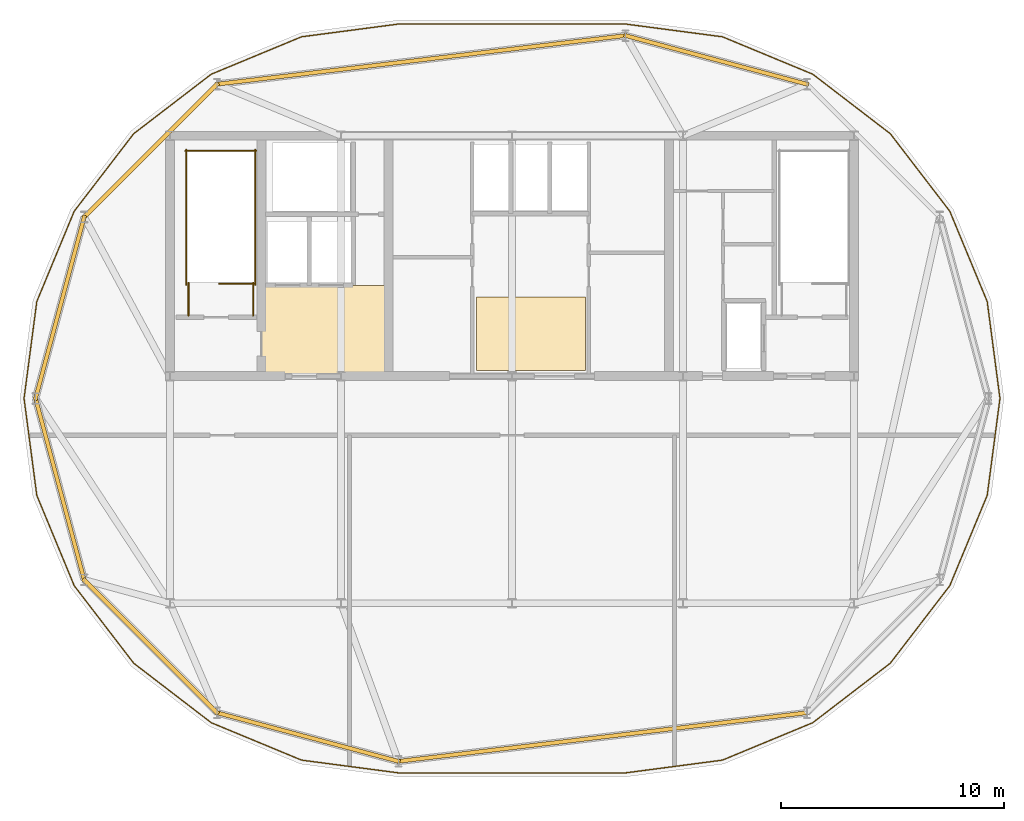
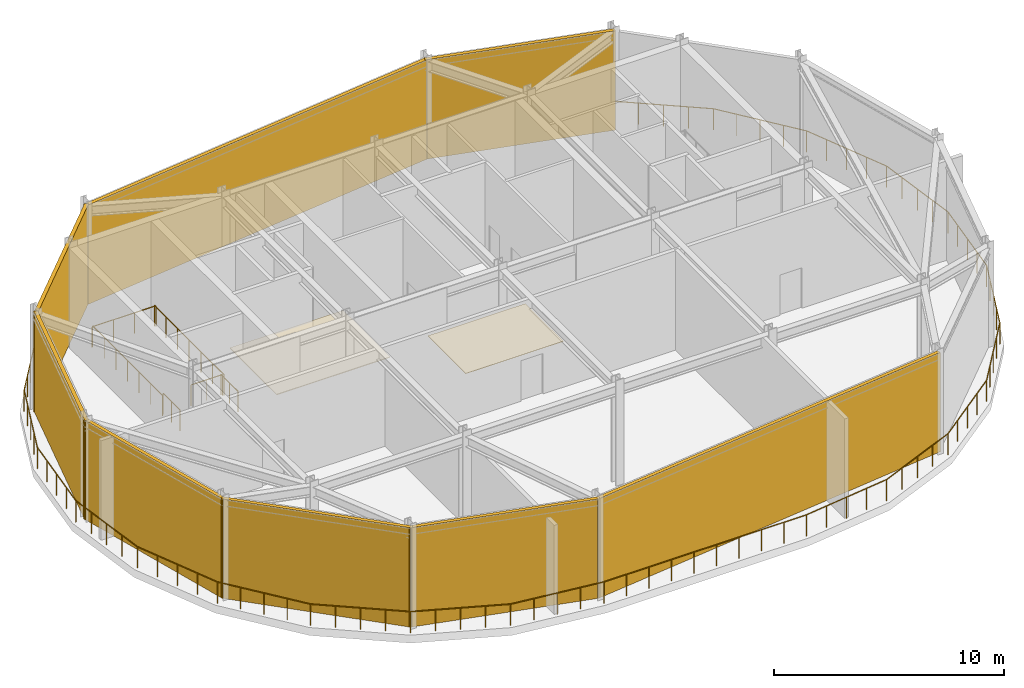
# One storey, part 4 of 5: 8 railings, 8 shading devices, 2 coverings.
"""IFC4 building model written with IfcOpenShell, lengths in metres."""

from ifc_helpers import new_model, si_unit, direction, frame, origin, origin_2d, place, context, subcontext, project, spatial, polyline, rectangle, circle, outline, extrude, material, layer, layer_set, type_object, element, save


model = new_model("IFC4")

# Units and contexts
model_context = context("Model", 3, precision=1e-05, world=origin(), true_north=direction((0.0, 1.0)))
body_context = subcontext(model_context, "Body", "Model", "MODEL_VIEW")
ifc_project = project(units=[si_unit("LENGTHUNIT", "METRE"), si_unit("AREAUNIT", "SQUARE_METRE"), si_unit("VOLUMEUNIT", "CUBIC_METRE"), si_unit("PLANEANGLEUNIT", "RADIAN"), si_unit("MASSUNIT", "GRAM", prefix="KILO")], contexts=[model_context])

# Site, building, storey
site_placement = place(None, origin())
site = spatial("IfcSite", under=ifc_project, at=site_placement, CompositionType="ELEMENT")
building_placement = place(site_placement, origin())
building = spatial("IfcBuilding", under=site, at=building_placement, Name="Yelkora Congress Tower", CompositionType="ELEMENT")
storey_placement = place(building_placement, frame((0.0, 0.0, 304.39990234375)))
storey = spatial("IfcBuildingStorey", under=building, at=storey_placement, Name="L85", CompositionType="ELEMENT", Elevation=304.39990234375)

# Coverings
ifc_material_1 = material(Name="Perforated mineral-fibre acoustic ceiling", Category="gypsum")
ifc_layer_1 = layer(ifc_material_1, 0.0400390625)
ifc_layer_set_1 = layer_set([ifc_layer_1], Name="Perforated mineral-fibre acoustic ceiling")
covering_type_1 = type_object("IfcCoveringType", Name="COV-CEIL-ACOUSTIC-40", PredefinedType="CEILING", material=ifc_layer_set_1)
covering_1_placement = place(storey_placement, frame((0.0, 0.0, 2.400146484375)))
element("IfcCovering", 1, at=covering_1_placement, inside=storey, type_object=covering_type_1, Name="L85 Firefighting Lobby Acoustic Ceiling", PredefinedType="CEILING", context=body_context, shape_type="SweptSolid", body=[
    extrude(outline(polyline([(27.14990234375, 35.39990234375), (32.85009765625, 35.39990234375), (32.85009765625, 39.47998046875), (27.14990234375, 39.47998046875), (27.14990234375, 35.39990234375)])), origin(), (0.0, 0.0, 1.0), 0.0400390625),
])
ifc_material_2 = material(Name="Polished Anatolian grey granite tile", Category="masonry")
ifc_layer_2 = layer(ifc_material_2, 0.02001953125)
ifc_layer_set_2 = layer_set([ifc_layer_2], Name="Polished Anatolian grey granite tile")
covering_type_2 = type_object("IfcCoveringType", Name="COV-FLOOR-GRANITE-20", PredefinedType="FLOORING", material=ifc_layer_set_2)
covering_2_placement = place(storey_placement, origin())
element("IfcCovering", 2, at=covering_2_placement, inside=storey, type_object=covering_type_2, Name="L85 Lift Lobby Granite Flooring", PredefinedType="FLOORING", context=body_context, shape_type="SweptSolid", body=[
    extrude(outline(polyline([(36.800048828125, 35.64990234375), (41.699951171875, 35.64990234375), (41.699951171875, 38.949951171875), (36.800048828125, 38.949951171875), (36.800048828125, 35.64990234375)])), origin(), (0.0, 0.0, 1.0), 0.02001953125),
])

# Railings
ifc_material_3 = material(Name="Stainless steel 316L and laminated glass infill", Category="steel")
ifc_layer_3 = layer(ifc_material_3, 0.080078125)
ifc_layer_set_3 = layer_set([ifc_layer_3], Name="Stainless steel 316L and laminated glass infill")
railing_type_1 = type_object("IfcRailingType", Name="RAIL-EXT-GUARD-1150", PredefinedType="GUARDRAIL", material=ifc_layer_set_3)
railing_1_placement = place(storey_placement, frame((43.48828125, 17.580078125, 0.0)))
element("IfcRailing", 3, at=railing_1_placement, inside=storey, type_object=railing_type_1, Name="L85 Crown Perimeter Maintenance Guardrail A", PredefinedType="GUARDRAIL", context=body_context, shape_type="SweptSolid", body=[
    extrude(circle(Radius=0.02392578125, at=origin_2d()), frame((0.0, 0.0, 1.1259765625), z_axis=(-1.0, 0.0, 0.0), x_axis=(0.0, -1.0, 0.0)), (0.0, 0.0, 1.0), 10.176513671875),
    extrude(circle(Radius=0.02392578125, at=origin_2d()), frame((-10.176513671875, 0.0, 1.1259765625), z_axis=(-0.991442588787, 0.130543453071, 0.0), x_axis=(-0.130543453071, -0.991442588787, 0.0)), (0.0, 0.0, 1.0), 4.40234375),
    extrude(circle(Radius=0.02392578125, at=origin_2d()), frame((-14.541259765625, 0.57470703125, 1.1259765625), z_axis=(-0.923894161996, 0.382648111755, 0.0), x_axis=(-0.382648111755, -0.923894161996, 0.0)), (0.0, 0.0, 1.0), 4.390380859375),
    extrude(circle(Radius=0.02392578125, at=origin_2d()), frame((-18.597412109375, 2.254638671875, 1.1259765625), z_axis=(-0.793338680431, 0.608780533634, 0.0), x_axis=(-0.608780533634, -0.793338680431, 0.0)), (0.0, 0.0, 1.0), 4.390380859375),
    extrude(circle(Radius=0.02392578125, at=origin_2d()), frame((-22.08056640625, 4.927490234375, 1.1259765625), z_axis=(-0.608780533634, 0.793338680431, 0.0), x_axis=(-0.793338680431, -0.608780533634, 0.0)), (0.0, 0.0, 1.0), 4.390380859375),
    extrude(circle(Radius=0.02392578125, at=origin_2d()), frame((-24.75341796875, 8.41064453125, 1.1259765625), z_axis=(-0.382675917256, 0.923882645336, 0.0), x_axis=(-0.923882645336, -0.382675917256, 0.0)), (0.0, 0.0, 1.0), 4.390625),
    extrude(circle(Radius=0.02392578125, at=origin_2d()), frame((-26.43359375, 12.467041015625, 1.1259765625), z_axis=(-0.130513490059, 0.991446533562, 0.0), x_axis=(-0.991446533562, -0.130513490059, 0.0)), (0.0, 0.0, 1.0), 4.390380859375),
    extrude(circle(Radius=0.02392578125, at=origin_2d()), frame((-27.006591796875, 16.81982421875, 1.1259765625), z_axis=(0.130506294853, 0.991447480709, 0.0), x_axis=(-0.991447480709, 0.130506294853, 0.0)), (0.0, 0.0, 1.0), 4.390625),
    extrude(circle(Radius=0.02392578125, at=origin_2d()), frame((-26.43359375, 21.1728515625, 1.1259765625), z_axis=(0.382695577314, 0.923874501815, 0.0), x_axis=(-0.923874501815, 0.382695577314, 0.0)), (0.0, 0.0, 1.0), 4.390380859375),
    extrude(circle(Radius=0.02392578125, at=origin_2d()), frame((-24.75341796875, 25.22900390625, 1.1259765625), z_axis=(0.608753678221, 0.79335928762, 0.0), x_axis=(-0.79335928762, 0.608753678221, 0.0)), (0.0, 0.0, 1.0), 4.390625),
    extrude(circle(Radius=0.02392578125, at=origin_2d()), frame((-22.08056640625, 28.71240234375, 1.1259765625), z_axis=(0.793365536817, 0.608745533857, 0.0), x_axis=(-0.608745533857, 0.793365536817, 0.0)), (0.0, 0.0, 1.0), 4.390380859375),
    extrude(circle(Radius=0.02392578125, at=origin_2d()), frame((-18.597412109375, 31.385009765625, 1.1259765625), z_axis=(0.923874501815, 0.382695577314, 0.0), x_axis=(-0.382695577314, 0.923874501815, 0.0)), (0.0, 0.0, 1.0), 4.390380859375),
    extrude(circle(Radius=0.02392578125, at=origin_2d()), frame((-14.541259765625, 33.065185546875, 1.1259765625), z_axis=(0.991442588787, 0.130543453071, 0.0), x_axis=(-0.130543453071, 0.991442588787, 0.0)), (0.0, 0.0, 1.0), 4.40234375),
    extrude(circle(Radius=0.02099609375, at=origin_2d()), origin(), (0.0, 0.0, 1.0), 1.101806640625),
    extrude(circle(Radius=0.02099609375, at=origin_2d()), frame((-1.130615234375, 0.0, 0.0)), (0.0, 0.0, 1.0), 1.101806640625),
    extrude(circle(Radius=0.02099609375, at=origin_2d()), frame((-2.261474609375, 0.0, 0.0)), (0.0, 0.0, 1.0), 1.101806640625),
    extrude(circle(Radius=0.02099609375, at=origin_2d()), frame((-3.39208984375, 0.0, 0.0)), (0.0, 0.0, 1.0), 1.101806640625),
    extrude(circle(Radius=0.02099609375, at=origin_2d()), frame((-4.52294921875, 0.0, 0.0)), (0.0, 0.0, 1.0), 1.101806640625),
    extrude(circle(Radius=0.02099609375, at=origin_2d()), frame((-5.653564453125, 0.0, 0.0)), (0.0, 0.0, 1.0), 1.101806640625),
    extrude(circle(Radius=0.02099609375, at=origin_2d()), frame((-6.784423828125, 0.0, 0.0)), (0.0, 0.0, 1.0), 1.101806640625),
    extrude(circle(Radius=0.02099609375, at=origin_2d()), frame((-7.9150390625, 0.0, 0.0)), (0.0, 0.0, 1.0), 1.101806640625),
    extrude(circle(Radius=0.02099609375, at=origin_2d()), frame((-9.0458984375, 0.0, 0.0)), (0.0, 0.0, 1.0), 1.101806640625),
    extrude(circle(Radius=0.02099609375, at=origin_2d()), frame((-10.176513671875, 0.0, 0.0)), (0.0, 0.0, 1.0), 1.101806640625),
    extrude(circle(Radius=0.02099609375, at=origin_2d()), frame((-11.267578125, 0.1435546875, 0.0)), (0.0, 0.0, 1.0), 1.101806640625),
    extrude(circle(Radius=0.02099609375, at=origin_2d()), frame((-12.35888671875, 0.287353515625, 0.0)), (0.0, 0.0, 1.0), 1.101806640625),
    extrude(circle(Radius=0.02099609375, at=origin_2d()), frame((-13.4501953125, 0.43115234375, 0.0)), (0.0, 0.0, 1.0), 1.101806640625),
    extrude(circle(Radius=0.02099609375, at=origin_2d()), frame((-14.541259765625, 0.57470703125, 0.0)), (0.0, 0.0, 1.0), 1.101806640625),
    extrude(circle(Radius=0.02099609375, at=origin_2d()), frame((-15.55517578125, 0.99462890625, 0.0)), (0.0, 0.0, 1.0), 1.101806640625),
    extrude(circle(Radius=0.02099609375, at=origin_2d()), frame((-16.5693359375, 1.41455078125, 0.0)), (0.0, 0.0, 1.0), 1.101806640625),
    extrude(circle(Radius=0.02099609375, at=origin_2d()), frame((-17.58349609375, 1.834716796875, 0.0)), (0.0, 0.0, 1.0), 1.101806640625),
    extrude(circle(Radius=0.02099609375, at=origin_2d()), frame((-18.597412109375, 2.254638671875, 0.0)), (0.0, 0.0, 1.0), 1.101806640625),
    extrude(circle(Radius=0.02099609375, at=origin_2d()), frame((-19.46826171875, 2.9228515625, 0.0)), (0.0, 0.0, 1.0), 1.101806640625),
    extrude(circle(Radius=0.02099609375, at=origin_2d()), frame((-20.3388671875, 3.591064453125, 0.0)), (0.0, 0.0, 1.0), 1.101806640625),
    extrude(circle(Radius=0.02099609375, at=origin_2d()), frame((-21.209716796875, 4.25927734375, 0.0)), (0.0, 0.0, 1.0), 1.101806640625),
    extrude(circle(Radius=0.02099609375, at=origin_2d()), frame((-22.08056640625, 4.927490234375, 0.0)), (0.0, 0.0, 1.0), 1.101806640625),
    extrude(circle(Radius=0.02099609375, at=origin_2d()), frame((-22.748779296875, 5.79833984375, 0.0)), (0.0, 0.0, 1.0), 1.101806640625),
    extrude(circle(Radius=0.02099609375, at=origin_2d()), frame((-23.4169921875, 6.6689453125, 0.0)), (0.0, 0.0, 1.0), 1.101806640625),
    extrude(circle(Radius=0.02099609375, at=origin_2d()), frame((-24.085205078125, 7.539794921875, 0.0)), (0.0, 0.0, 1.0), 1.101806640625),
    extrude(circle(Radius=0.02099609375, at=origin_2d()), frame((-24.75341796875, 8.41064453125, 0.0)), (0.0, 0.0, 1.0), 1.101806640625),
    extrude(circle(Radius=0.02099609375, at=origin_2d()), frame((-25.17333984375, 9.4248046875, 0.0)), (0.0, 0.0, 1.0), 1.101806640625),
    extrude(circle(Radius=0.02099609375, at=origin_2d()), frame((-25.593505859375, 10.43896484375, 0.0)), (0.0, 0.0, 1.0), 1.101806640625),
    extrude(circle(Radius=0.02099609375, at=origin_2d()), frame((-26.013671875, 11.452880859375, 0.0)), (0.0, 0.0, 1.0), 1.101806640625),
    extrude(circle(Radius=0.02099609375, at=origin_2d()), frame((-26.43359375, 12.467041015625, 0.0)), (0.0, 0.0, 1.0), 1.101806640625),
    extrude(circle(Radius=0.02099609375, at=origin_2d()), frame((-26.576904296875, 13.55517578125, 0.0)), (0.0, 0.0, 1.0), 1.101806640625),
    extrude(circle(Radius=0.02099609375, at=origin_2d()), frame((-26.72021484375, 14.6435546875, 0.0)), (0.0, 0.0, 1.0), 1.101806640625),
    extrude(circle(Radius=0.02099609375, at=origin_2d()), frame((-26.86328125, 15.731689453125, 0.0)), (0.0, 0.0, 1.0), 1.101806640625),
    extrude(circle(Radius=0.02099609375, at=origin_2d()), frame((-27.006591796875, 16.81982421875, 0.0)), (0.0, 0.0, 1.0), 1.101806640625),
    extrude(circle(Radius=0.02099609375, at=origin_2d()), frame((-26.86328125, 17.908203125, 0.0)), (0.0, 0.0, 1.0), 1.101806640625),
    extrude(circle(Radius=0.02099609375, at=origin_2d()), frame((-26.72021484375, 18.996337890625, 0.0)), (0.0, 0.0, 1.0), 1.101806640625),
    extrude(circle(Radius=0.02099609375, at=origin_2d()), frame((-26.576904296875, 20.08447265625, 0.0)), (0.0, 0.0, 1.0), 1.101806640625),
    extrude(circle(Radius=0.02099609375, at=origin_2d()), frame((-26.43359375, 21.1728515625, 0.0)), (0.0, 0.0, 1.0), 1.101806640625),
    extrude(circle(Radius=0.02099609375, at=origin_2d()), frame((-26.013671875, 22.18701171875, 0.0)), (0.0, 0.0, 1.0), 1.101806640625),
    extrude(circle(Radius=0.02099609375, at=origin_2d()), frame((-25.593505859375, 23.200927734375, 0.0)), (0.0, 0.0, 1.0), 1.101806640625),
    extrude(circle(Radius=0.02099609375, at=origin_2d()), frame((-25.17333984375, 24.21484375, 0.0)), (0.0, 0.0, 1.0), 1.101806640625),
    extrude(circle(Radius=0.02099609375, at=origin_2d()), frame((-24.75341796875, 25.22900390625, 0.0)), (0.0, 0.0, 1.0), 1.101806640625),
    extrude(circle(Radius=0.02099609375, at=origin_2d()), frame((-24.085205078125, 26.099853515625, 0.0)), (0.0, 0.0, 1.0), 1.101806640625),
    extrude(circle(Radius=0.02099609375, at=origin_2d()), frame((-23.4169921875, 26.970703125, 0.0)), (0.0, 0.0, 1.0), 1.101806640625),
    extrude(circle(Radius=0.02099609375, at=origin_2d()), frame((-22.748779296875, 27.841552734375, 0.0)), (0.0, 0.0, 1.0), 1.101806640625),
    extrude(circle(Radius=0.02099609375, at=origin_2d()), frame((-22.08056640625, 28.71240234375, 0.0)), (0.0, 0.0, 1.0), 1.101806640625),
    extrude(circle(Radius=0.02099609375, at=origin_2d()), frame((-21.209716796875, 29.380615234375, 0.0)), (0.0, 0.0, 1.0), 1.101806640625),
    extrude(circle(Radius=0.02099609375, at=origin_2d()), frame((-20.3388671875, 30.048828125, 0.0)), (0.0, 0.0, 1.0), 1.101806640625),
    extrude(circle(Radius=0.02099609375, at=origin_2d()), frame((-19.46826171875, 30.716796875, 0.0)), (0.0, 0.0, 1.0), 1.101806640625),
    extrude(circle(Radius=0.02099609375, at=origin_2d()), frame((-18.597412109375, 31.385009765625, 0.0)), (0.0, 0.0, 1.0), 1.101806640625),
    extrude(circle(Radius=0.02099609375, at=origin_2d()), frame((-17.58349609375, 31.80517578125, 0.0)), (0.0, 0.0, 1.0), 1.101806640625),
    extrude(circle(Radius=0.02099609375, at=origin_2d()), frame((-16.5693359375, 32.22509765625, 0.0)), (0.0, 0.0, 1.0), 1.101806640625),
    extrude(circle(Radius=0.02099609375, at=origin_2d()), frame((-15.55517578125, 32.64501953125, 0.0)), (0.0, 0.0, 1.0), 1.101806640625),
    extrude(circle(Radius=0.02099609375, at=origin_2d()), frame((-14.541259765625, 33.065185546875, 0.0)), (0.0, 0.0, 1.0), 1.101806640625),
    extrude(circle(Radius=0.02099609375, at=origin_2d()), frame((-13.4501953125, 33.208984375, 0.0)), (0.0, 0.0, 1.0), 1.101806640625),
    extrude(circle(Radius=0.02099609375, at=origin_2d()), frame((-12.35888671875, 33.3525390625, 0.0)), (0.0, 0.0, 1.0), 1.101806640625),
    extrude(circle(Radius=0.02099609375, at=origin_2d()), frame((-11.267578125, 33.49609375, 0.0)), (0.0, 0.0, 1.0), 1.101806640625),
    extrude(circle(Radius=0.02099609375, at=origin_2d()), frame((-10.176513671875, 33.639892578125, 0.0)), (0.0, 0.0, 1.0), 1.101806640625),
])
railing_2_placement = place(storey_placement, frame((33.311767578125, 51.219970703125, 0.0)))
element("IfcRailing", 4, at=railing_2_placement, inside=storey, type_object=railing_type_1, Name="L85 Crown Perimeter Maintenance Guardrail B", PredefinedType="GUARDRAIL", context=body_context, shape_type="SweptSolid", body=[
    extrude(circle(Radius=0.02392578125, at=origin_2d()), frame((0.0, 0.0, 1.1259765625), z_axis=(1.0, 0.0, 0.0), x_axis=(0.0, 1.0, 0.0)), (0.0, 0.0, 1.0), 10.176513671875),
    extrude(circle(Radius=0.02392578125, at=origin_2d()), frame((10.176513671875, 0.0, 1.1259765625), z_axis=(0.99144164365, -0.130550630931, 0.0), x_axis=(0.130550630931, 0.99144164365, 0.0)), (0.0, 0.0, 1.0), 4.402099609375),
    extrude(circle(Radius=0.02392578125, at=origin_2d()), frame((14.541015625, -0.57470703125, 1.1259765625), z_axis=(0.923882645336, -0.382675917256, 0.0), x_axis=(0.382675917256, 0.923882645336, 0.0)), (0.0, 0.0, 1.0), 4.390625),
    extrude(circle(Radius=0.02392578125, at=origin_2d()), frame((18.597412109375, -2.2548828125, 1.1259765625), z_axis=(0.793365536817, -0.608745533857, 0.0), x_axis=(0.608745533857, 0.793365536817, 0.0)), (0.0, 0.0, 1.0), 4.390380859375),
    extrude(circle(Radius=0.02392578125, at=origin_2d()), frame((22.08056640625, -4.927490234375, 1.1259765625), z_axis=(0.608753678221, -0.79335928762, 0.0), x_axis=(0.79335928762, 0.608753678221, 0.0)), (0.0, 0.0, 1.0), 4.390625),
    extrude(circle(Radius=0.02392578125, at=origin_2d()), frame((24.75341796875, -8.410888671875, 1.1259765625), z_axis=(0.382695577314, -0.923874501815, 0.0), x_axis=(0.923874501815, 0.382695577314, 0.0)), (0.0, 0.0, 1.0), 4.390380859375),
    extrude(circle(Radius=0.02392578125, at=origin_2d()), frame((26.43359375, -12.467041015625, 1.1259765625), z_axis=(0.130506294853, -0.991447480709, 0.0), x_axis=(0.991447480709, 0.130506294853, 0.0)), (0.0, 0.0, 1.0), 4.390625),
    extrude(circle(Radius=0.02392578125, at=origin_2d()), frame((27.006591796875, -16.820068359375, 1.1259765625), z_axis=(-0.130513490059, -0.991446533562, 0.0), x_axis=(0.991446533562, -0.130513490059, 0.0)), (0.0, 0.0, 1.0), 4.390380859375),
    extrude(circle(Radius=0.02392578125, at=origin_2d()), frame((26.43359375, -21.1728515625, 1.1259765625), z_axis=(-0.382675917256, -0.923882645336, 0.0), x_axis=(0.923882645336, -0.382675917256, 0.0)), (0.0, 0.0, 1.0), 4.390625),
    extrude(circle(Radius=0.02392578125, at=origin_2d()), frame((24.75341796875, -25.229248046875, 1.1259765625), z_axis=(-0.608780533634, -0.793338680431, 0.0), x_axis=(0.793338680431, -0.608780533634, 0.0)), (0.0, 0.0, 1.0), 4.390380859375),
    extrude(circle(Radius=0.02392578125, at=origin_2d()), frame((22.08056640625, -28.71240234375, 1.1259765625), z_axis=(-0.793338680431, -0.608780533634, 0.0), x_axis=(0.608780533634, -0.793338680431, 0.0)), (0.0, 0.0, 1.0), 4.390380859375),
    extrude(circle(Radius=0.02392578125, at=origin_2d()), frame((18.597412109375, -31.38525390625, 1.1259765625), z_axis=(-0.92390230367, -0.382628453298, 0.0), x_axis=(0.382628453298, -0.92390230367, 0.0)), (0.0, 0.0, 1.0), 4.390625),
    extrude(circle(Radius=0.02392578125, at=origin_2d()), frame((14.541015625, -33.065185546875, 1.1259765625), z_axis=(-0.99144164365, -0.130550630931, 0.0), x_axis=(0.130550630931, -0.99144164365, 0.0)), (0.0, 0.0, 1.0), 4.402099609375),
    extrude(circle(Radius=0.02099609375, at=origin_2d()), origin(), (0.0, 0.0, 1.0), 1.101806640625),
    extrude(circle(Radius=0.02099609375, at=origin_2d()), frame((1.130615234375, 0.0, 0.0)), (0.0, 0.0, 1.0), 1.101806640625),
    extrude(circle(Radius=0.02099609375, at=origin_2d()), frame((2.261474609375, 0.0, 0.0)), (0.0, 0.0, 1.0), 1.101806640625),
    extrude(circle(Radius=0.02099609375, at=origin_2d()), frame((3.39208984375, 0.0, 0.0)), (0.0, 0.0, 1.0), 1.101806640625),
    extrude(circle(Radius=0.02099609375, at=origin_2d()), frame((4.52294921875, 0.0, 0.0)), (0.0, 0.0, 1.0), 1.101806640625),
    extrude(circle(Radius=0.02099609375, at=origin_2d()), frame((5.653564453125, 0.0, 0.0)), (0.0, 0.0, 1.0), 1.101806640625),
    extrude(circle(Radius=0.02099609375, at=origin_2d()), frame((6.784423828125, 0.0, 0.0)), (0.0, 0.0, 1.0), 1.101806640625),
    extrude(circle(Radius=0.02099609375, at=origin_2d()), frame((7.9150390625, 0.0, 0.0)), (0.0, 0.0, 1.0), 1.101806640625),
    extrude(circle(Radius=0.02099609375, at=origin_2d()), frame((9.0458984375, 0.0, 0.0)), (0.0, 0.0, 1.0), 1.101806640625),
    extrude(circle(Radius=0.02099609375, at=origin_2d()), frame((10.176513671875, 0.0, 0.0)), (0.0, 0.0, 1.0), 1.101806640625),
    extrude(circle(Radius=0.02099609375, at=origin_2d()), frame((11.267578125, -0.1435546875, 0.0)), (0.0, 0.0, 1.0), 1.101806640625),
    extrude(circle(Radius=0.02099609375, at=origin_2d()), frame((12.35888671875, -0.287353515625, 0.0)), (0.0, 0.0, 1.0), 1.101806640625),
    extrude(circle(Radius=0.02099609375, at=origin_2d()), frame((13.449951171875, -0.43115234375, 0.0)), (0.0, 0.0, 1.0), 1.101806640625),
    extrude(circle(Radius=0.02099609375, at=origin_2d()), frame((14.541015625, -0.57470703125, 0.0)), (0.0, 0.0, 1.0), 1.101806640625),
    extrude(circle(Radius=0.02099609375, at=origin_2d()), frame((15.55517578125, -0.99462890625, 0.0)), (0.0, 0.0, 1.0), 1.101806640625),
    extrude(circle(Radius=0.02099609375, at=origin_2d()), frame((16.5693359375, -1.414794921875, 0.0)), (0.0, 0.0, 1.0), 1.101806640625),
    extrude(circle(Radius=0.02099609375, at=origin_2d()), frame((17.583251953125, -1.8349609375, 0.0)), (0.0, 0.0, 1.0), 1.101806640625),
    extrude(circle(Radius=0.02099609375, at=origin_2d()), frame((18.597412109375, -2.2548828125, 0.0)), (0.0, 0.0, 1.0), 1.101806640625),
    extrude(circle(Radius=0.02099609375, at=origin_2d()), frame((19.46826171875, -2.923095703125, 0.0)), (0.0, 0.0, 1.0), 1.101806640625),
    extrude(circle(Radius=0.02099609375, at=origin_2d()), frame((20.3388671875, -3.59130859375, 0.0)), (0.0, 0.0, 1.0), 1.101806640625),
    extrude(circle(Radius=0.02099609375, at=origin_2d()), frame((21.209716796875, -4.25927734375, 0.0)), (0.0, 0.0, 1.0), 1.101806640625),
    extrude(circle(Radius=0.02099609375, at=origin_2d()), frame((22.08056640625, -4.927490234375, 0.0)), (0.0, 0.0, 1.0), 1.101806640625),
    extrude(circle(Radius=0.02099609375, at=origin_2d()), frame((22.748779296875, -5.79833984375, 0.0)), (0.0, 0.0, 1.0), 1.101806640625),
    extrude(circle(Radius=0.02099609375, at=origin_2d()), frame((23.4169921875, -6.669189453125, 0.0)), (0.0, 0.0, 1.0), 1.101806640625),
    extrude(circle(Radius=0.02099609375, at=origin_2d()), frame((24.085205078125, -7.5400390625, 0.0)), (0.0, 0.0, 1.0), 1.101806640625),
    extrude(circle(Radius=0.02099609375, at=origin_2d()), frame((24.75341796875, -8.410888671875, 0.0)), (0.0, 0.0, 1.0), 1.101806640625),
    extrude(circle(Radius=0.02099609375, at=origin_2d()), frame((25.17333984375, -9.4248046875, 0.0)), (0.0, 0.0, 1.0), 1.101806640625),
    extrude(circle(Radius=0.02099609375, at=origin_2d()), frame((25.593505859375, -10.43896484375, 0.0)), (0.0, 0.0, 1.0), 1.101806640625),
    extrude(circle(Radius=0.02099609375, at=origin_2d()), frame((26.013671875, -11.453125, 0.0)), (0.0, 0.0, 1.0), 1.101806640625),
    extrude(circle(Radius=0.02099609375, at=origin_2d()), frame((26.43359375, -12.467041015625, 0.0)), (0.0, 0.0, 1.0), 1.101806640625),
    extrude(circle(Radius=0.02099609375, at=origin_2d()), frame((26.576904296875, -13.55517578125, 0.0)), (0.0, 0.0, 1.0), 1.101806640625),
    extrude(circle(Radius=0.02099609375, at=origin_2d()), frame((26.72021484375, -14.6435546875, 0.0)), (0.0, 0.0, 1.0), 1.101806640625),
    extrude(circle(Radius=0.02099609375, at=origin_2d()), frame((26.86328125, -15.73193359375, 0.0)), (0.0, 0.0, 1.0), 1.101806640625),
    extrude(circle(Radius=0.02099609375, at=origin_2d()), frame((27.006591796875, -16.820068359375, 0.0)), (0.0, 0.0, 1.0), 1.101806640625),
    extrude(circle(Radius=0.02099609375, at=origin_2d()), frame((26.86328125, -17.908203125, 0.0)), (0.0, 0.0, 1.0), 1.101806640625),
    extrude(circle(Radius=0.02099609375, at=origin_2d()), frame((26.72021484375, -18.99658203125, 0.0)), (0.0, 0.0, 1.0), 1.101806640625),
    extrude(circle(Radius=0.02099609375, at=origin_2d()), frame((26.576904296875, -20.084716796875, 0.0)), (0.0, 0.0, 1.0), 1.101806640625),
    extrude(circle(Radius=0.02099609375, at=origin_2d()), frame((26.43359375, -21.1728515625, 0.0)), (0.0, 0.0, 1.0), 1.101806640625),
    extrude(circle(Radius=0.02099609375, at=origin_2d()), frame((26.013671875, -22.18701171875, 0.0)), (0.0, 0.0, 1.0), 1.101806640625),
    extrude(circle(Radius=0.02099609375, at=origin_2d()), frame((25.593505859375, -23.201171875, 0.0)), (0.0, 0.0, 1.0), 1.101806640625),
    extrude(circle(Radius=0.02099609375, at=origin_2d()), frame((25.17333984375, -24.215087890625, 0.0)), (0.0, 0.0, 1.0), 1.101806640625),
    extrude(circle(Radius=0.02099609375, at=origin_2d()), frame((24.75341796875, -25.229248046875, 0.0)), (0.0, 0.0, 1.0), 1.101806640625),
    extrude(circle(Radius=0.02099609375, at=origin_2d()), frame((24.085205078125, -26.10009765625, 0.0)), (0.0, 0.0, 1.0), 1.101806640625),
    extrude(circle(Radius=0.02099609375, at=origin_2d()), frame((23.4169921875, -26.970703125, 0.0)), (0.0, 0.0, 1.0), 1.101806640625),
    extrude(circle(Radius=0.02099609375, at=origin_2d()), frame((22.748779296875, -27.841552734375, 0.0)), (0.0, 0.0, 1.0), 1.101806640625),
    extrude(circle(Radius=0.02099609375, at=origin_2d()), frame((22.08056640625, -28.71240234375, 0.0)), (0.0, 0.0, 1.0), 1.101806640625),
    extrude(circle(Radius=0.02099609375, at=origin_2d()), frame((21.209716796875, -29.380615234375, 0.0)), (0.0, 0.0, 1.0), 1.101806640625),
    extrude(circle(Radius=0.02099609375, at=origin_2d()), frame((20.3388671875, -30.048828125, 0.0)), (0.0, 0.0, 1.0), 1.101806640625),
    extrude(circle(Radius=0.02099609375, at=origin_2d()), frame((19.46826171875, -30.717041015625, 0.0)), (0.0, 0.0, 1.0), 1.101806640625),
    extrude(circle(Radius=0.02099609375, at=origin_2d()), frame((18.597412109375, -31.38525390625, 0.0)), (0.0, 0.0, 1.0), 1.101806640625),
    extrude(circle(Radius=0.02099609375, at=origin_2d()), frame((17.583251953125, -31.80517578125, 0.0)), (0.0, 0.0, 1.0), 1.101806640625),
    extrude(circle(Radius=0.02099609375, at=origin_2d()), frame((16.5693359375, -32.22509765625, 0.0)), (0.0, 0.0, 1.0), 1.101806640625),
    extrude(circle(Radius=0.02099609375, at=origin_2d()), frame((15.55517578125, -32.645263671875, 0.0)), (0.0, 0.0, 1.0), 1.101806640625),
    extrude(circle(Radius=0.02099609375, at=origin_2d()), frame((14.541015625, -33.065185546875, 0.0)), (0.0, 0.0, 1.0), 1.101806640625),
    extrude(circle(Radius=0.02099609375, at=origin_2d()), frame((13.449951171875, -33.208984375, 0.0)), (0.0, 0.0, 1.0), 1.101806640625),
    extrude(circle(Radius=0.02099609375, at=origin_2d()), frame((12.35888671875, -33.3525390625, 0.0)), (0.0, 0.0, 1.0), 1.101806640625),
    extrude(circle(Radius=0.02099609375, at=origin_2d()), frame((11.267578125, -33.49609375, 0.0)), (0.0, 0.0, 1.0), 1.101806640625),
    extrude(circle(Radius=0.02099609375, at=origin_2d()), frame((10.176513671875, -33.639892578125, 0.0)), (0.0, 0.0, 1.0), 1.101806640625),
])
ifc_material_4 = material(Name="Painted galvanised steel stair well guard with vertical infill", Category="steel")
ifc_layer_4 = layer(ifc_material_4, 0.06005859375)
ifc_layer_set_4 = layer_set([ifc_layer_4], Name="Painted galvanised steel stair well guard with vertical infill")
railing_type_2 = type_object("IfcRailingType", Name="RAIL-STAIR-GUARD-1120", PredefinedType="GUARDRAIL", material=ifc_layer_set_4)
railing_3_placement = place(storey_placement, frame((26.820068359375, 39.550048828125, 0.0)))
element("IfcRailing", 5, at=railing_3_placement, inside=storey, type_object=railing_type_2, Name="ST-01 L85 Top Stair-Well Guardrail 1", PredefinedType="GUARDRAIL", context=body_context, shape_type="SweptSolid", body=[
    extrude(circle(Radius=0.02392578125, at=origin_2d()), frame((0.0, 0.0, 1.09619140625), z_axis=(-1.0, 0.0, 0.0), x_axis=(0.0, -1.0, 0.0)), (0.0, 0.0, 1.0), 1.580078125),
    extrude(circle(Radius=0.02099609375, at=origin_2d()), origin(), (0.0, 0.0, 1.0), 1.072021484375),
    extrude(circle(Radius=0.02099609375, at=origin_2d()), frame((-0.7900390625, 0.0, 0.0)), (0.0, 0.0, 1.0), 1.072021484375),
    extrude(circle(Radius=0.02099609375, at=origin_2d()), frame((-1.580078125, 0.0, 0.0)), (0.0, 0.0, 1.0), 1.072021484375),
])
for number, where, name in (
    (6, (26.8701171875, 39.5, 0.0), "ST-01 L85 Top Stair-Well Guardrail 2"),
    (7, (23.77001953125, 39.5, 0.0), "ST-01 L85 Top Stair-Well Guardrail 3"),
):
    element("IfcRailing", number, at=place(storey_placement, frame(where)), inside=storey, type_object=railing_type_2, Name=name, PredefinedType="GUARDRAIL", context=body_context, shape_type="SweptSolid", body=[
        extrude(circle(Radius=0.02392578125, at=origin_2d()), frame((0.0, 0.0, 1.09619140625), z_axis=(0.0, 1.0, 0.0), x_axis=(-1.0, 0.0, 0.0)), (0.0, 0.0, 1.0), 6.070068359375),
        extrude(circle(Radius=0.02099609375, at=origin_2d()), origin(), (0.0, 0.0, 1.0), 1.072021484375),
        extrude(circle(Radius=0.02099609375, at=origin_2d()), frame((0.0, 1.01171875, 0.0)), (0.0, 0.0, 1.0), 1.072021484375),
        extrude(circle(Radius=0.02099609375, at=origin_2d()), frame((0.0, 2.0234375, 0.0)), (0.0, 0.0, 1.0), 1.072021484375),
        extrude(circle(Radius=0.02099609375, at=origin_2d()), frame((0.0, 3.03515625, 0.0)), (0.0, 0.0, 1.0), 1.072021484375),
        extrude(circle(Radius=0.02099609375, at=origin_2d()), frame((0.0, 4.046630859375, 0.0)), (0.0, 0.0, 1.0), 1.072021484375),
        extrude(circle(Radius=0.02099609375, at=origin_2d()), frame((0.0, 5.058349609375, 0.0)), (0.0, 0.0, 1.0), 1.072021484375),
        extrude(circle(Radius=0.02099609375, at=origin_2d()), frame((0.0, 6.070068359375, 0.0)), (0.0, 0.0, 1.0), 1.072021484375),
    ])
railing_4_placement = place(storey_placement, frame((26.919921875, 45.52001953125, 0.0)))
element("IfcRailing", 8, at=railing_4_placement, inside=storey, type_object=railing_type_2, Name="ST-01 L85 Top Stair-Well Guardrail 4", PredefinedType="GUARDRAIL", context=body_context, shape_type="SweptSolid", body=[
    extrude(circle(Radius=0.02392578125, at=origin_2d()), frame((0.0, 0.0, 1.09619140625), z_axis=(-1.0, 0.0, 0.0), x_axis=(0.0, -1.0, 0.0)), (0.0, 0.0, 1.0), 3.199951171875),
    extrude(circle(Radius=0.02099609375, at=origin_2d()), origin(), (0.0, 0.0, 1.0), 1.072021484375),
    extrude(circle(Radius=0.02099609375, at=origin_2d()), frame((-1.066650390625, 0.0, 0.0)), (0.0, 0.0, 1.0), 1.072021484375),
    extrude(circle(Radius=0.02099609375, at=origin_2d()), frame((-2.13330078125, 0.0, 0.0)), (0.0, 0.0, 1.0), 1.072021484375),
    extrude(circle(Radius=0.02099609375, at=origin_2d()), frame((-3.199951171875, 0.0, 0.0)), (0.0, 0.0, 1.0), 1.072021484375),
])
for number, where, name in (
    (9, (26.77001953125, 38.1201171875, 0.0), "ST-01 L85 Top Stair-Well Guardrail 5"),
    (10, (23.8701171875, 38.1201171875, 0.0), "ST-01 L85 Top Stair-Well Guardrail 6"),
):
    element("IfcRailing", number, at=place(storey_placement, frame(where)), inside=storey, type_object=railing_type_2, Name=name, PredefinedType="GUARDRAIL", context=body_context, shape_type="SweptSolid", body=[
        extrude(circle(Radius=0.02392578125, at=origin_2d()), frame((0.0, 0.0, 1.09619140625), z_axis=(0.0, 1.0, 0.0), x_axis=(-1.0, 0.0, 0.0)), (0.0, 0.0, 1.0), 1.47998046875),
        extrude(circle(Radius=0.02099609375, at=origin_2d()), origin(), (0.0, 0.0, 1.0), 1.072021484375),
        extrude(circle(Radius=0.02099609375, at=origin_2d()), frame((0.0, 0.739990234375, 0.0)), (0.0, 0.0, 1.0), 1.072021484375),
        extrude(circle(Radius=0.02099609375, at=origin_2d()), frame((0.0, 1.47998046875, 0.0)), (0.0, 0.0, 1.0), 1.072021484375),
    ])

# Shading devices
ifc_material_5 = material(Name="Acoustic storm-proof aluminium louvre screen", Category="aluminium")
ifc_layer_5 = layer(ifc_material_5, 4.89990234375)
ifc_layer_set_5 = layer_set([ifc_layer_5], Name="Acoustic storm-proof aluminium louvre screen")
shading_device_type = type_object("IfcShadingDeviceType", Name="SHD-LOUVRE-CROWN", PredefinedType="JALOUSIE", material=ifc_layer_set_5)
shading_device_1_placement = place(storey_placement, frame((47.574951171875, 49.608154296875, 0.0), z_axis=(0.0, 0.0, 1.0), x_axis=(-0.965925826289, 0.258819045103, 0.0)))
element("IfcShadingDevice", 11, at=shading_device_1_placement, inside=storey, type_object=shading_device_type, Name="L85 Crown Stadium Ring Louvre Screen 3", PredefinedType="JALOUSIE", context=body_context, shape_type="SweptSolid", body=[
    extrude(rectangle(XDim=8.58740234375, YDim=0.179931640625, at=origin_2d()), origin(), (0.0, 0.0, 1.0), 5.280029296875),
])
shading_device_2_placement = place(storey_placement, frame((34.324951171875, 49.608154296875, 0.0), z_axis=(0.0, 0.0, 1.0), x_axis=(-0.992992347555, -0.118178668534, 0.0)))
element("IfcShadingDevice", 12, at=shading_device_2_placement, inside=storey, type_object=shading_device_type, Name="L85 Crown Stadium Ring Louvre Screen 4", PredefinedType="JALOUSIE", context=body_context, shape_type="SweptSolid", body=[
    extrude(rectangle(XDim=18.62939453125, YDim=0.179931640625, at=origin_2d()), origin(), (0.0, 0.0, 1.0), 5.280029296875),
])
for number, where, z_axis, x_axis, name in (
    (13, (22.1669921875, 45.533203125, 0.0), (0.0, 0.0, 1.0), (-0.707106781187, -0.707106781187, 0.0), "L85 Crown Stadium Ring Louvre Screen 5"),
    (14, (18.091796875, 38.47509765625, 0.0), (0.0, 0.0, 1.0), (-0.258819045103, -0.965925826289, 0.0), "L85 Crown Stadium Ring Louvre Screen 6"),
    (15, (18.091796875, 30.324951171875, 0.0), (0.0, 0.0, 1.0), (0.258819045103, -0.965925826289, 0.0), "L85 Crown Stadium Ring Louvre Screen 7"),
    (16, (22.1669921875, 23.266845703125, 0.0), (0.0, 0.0, 1.0), (0.707106781187, -0.707106781187, 0.0), "L85 Crown Stadium Ring Louvre Screen 8"),
    (17, (29.22509765625, 19.19189453125, 0.0), (0.0, 0.0, 1.0), (0.965925826289, -0.258819045103, 0.0), "L85 Crown Stadium Ring Louvre Screen 9"),
):
    element("IfcShadingDevice", number, at=place(storey_placement, frame(where, z_axis=z_axis, x_axis=x_axis)), inside=storey, type_object=shading_device_type, Name=name, PredefinedType="JALOUSIE", context=body_context, shape_type="SweptSolid", body=[
        extrude(rectangle(XDim=8.58740234375, YDim=0.179931640625, at=origin_2d()), origin(), (0.0, 0.0, 1.0), 5.280029296875),
    ])
shading_device_3_placement = place(storey_placement, frame((42.47509765625, 19.19189453125, 0.0), z_axis=(0.0, 0.0, 1.0), x_axis=(0.992992347555, 0.118178668534, 0.0)))
element("IfcShadingDevice", 18, at=shading_device_3_placement, inside=storey, type_object=shading_device_type, Name="L85 Crown Stadium Ring Louvre Screen 10", PredefinedType="JALOUSIE", context=body_context, shape_type="SweptSolid", body=[
    extrude(rectangle(XDim=18.62939453125, YDim=0.179931640625, at=origin_2d()), origin(), (0.0, 0.0, 1.0), 5.280029296875),
])

save(model, "model.ifc")
